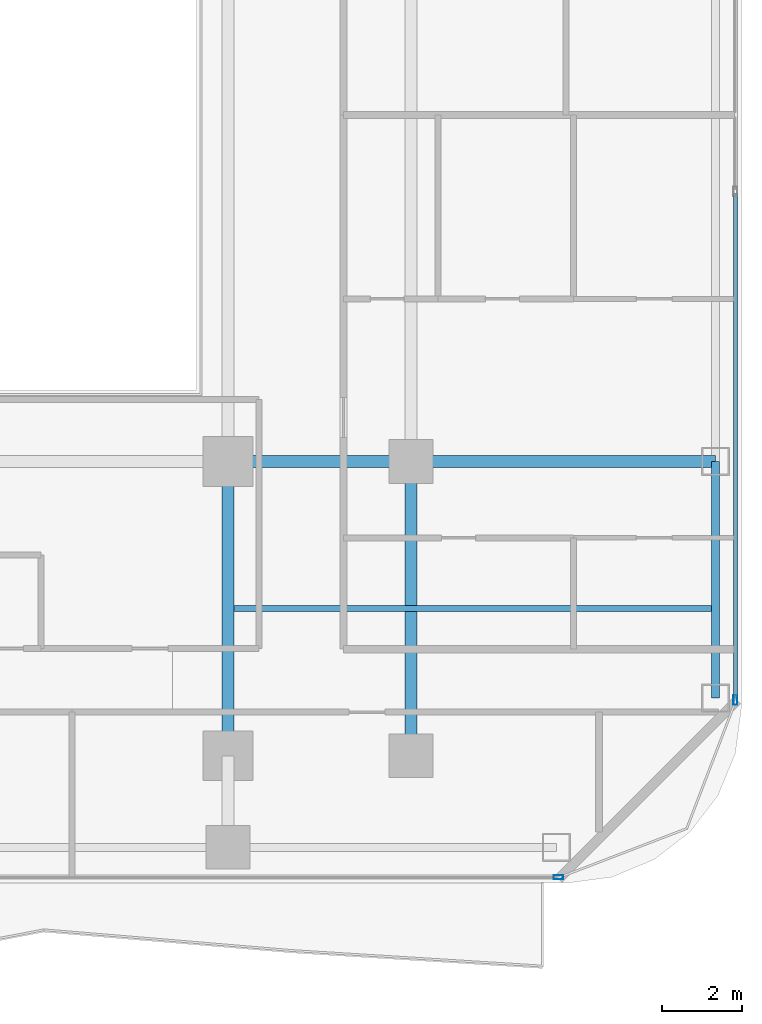
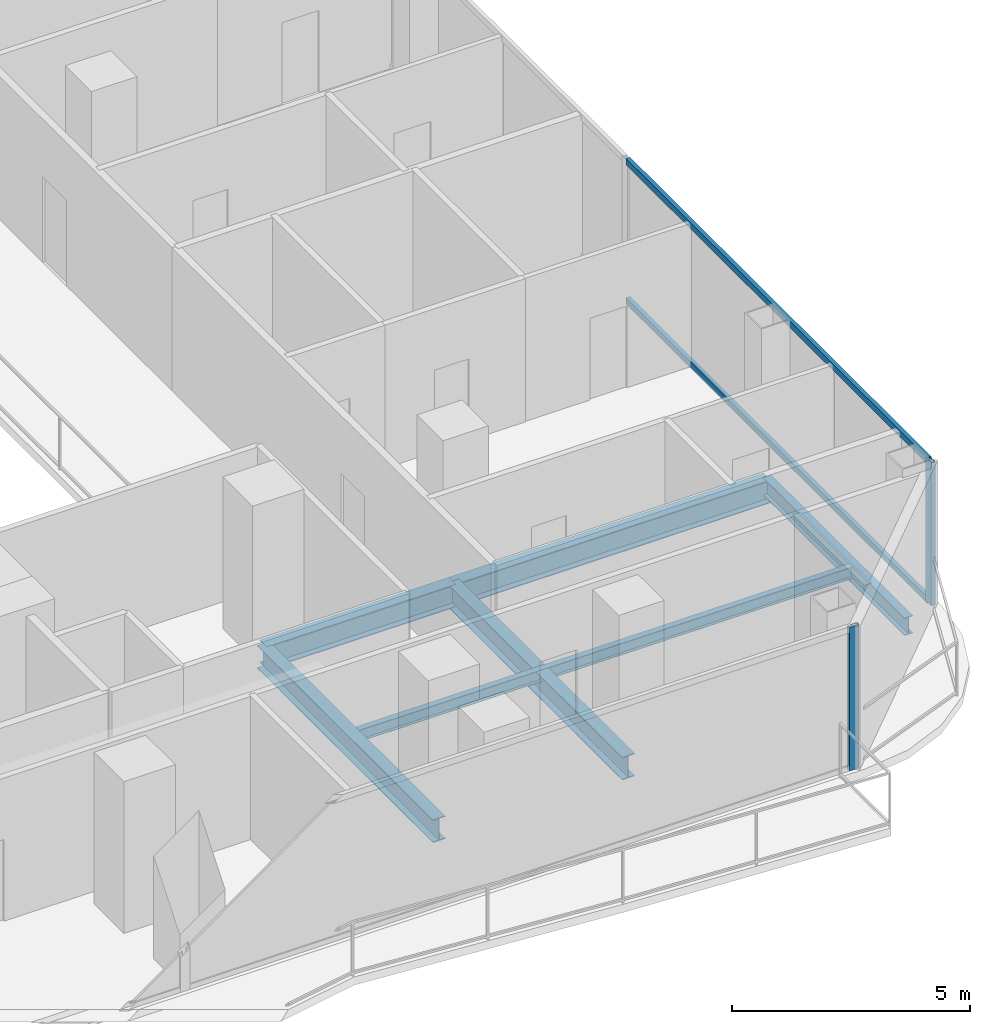
# One storey, part 9 of 27: 6 beams, 4 members, 2 elements without a shape of their own.
"""IFC4 building model written with IfcOpenShell, lengths in metres."""

from ifc_helpers import new_model, si_unit, direction, frame, origin, origin_2d, place, context, subcontext, project, spatial, hollow_rectangle, i_section, extrude, material, layer, layer_set, material_profile, profile_set, type_object, element, aggregate, save


model = new_model("IFC4")

# Units and contexts
model_context = context("Model", 3, precision=1e-05, world=origin(), true_north=direction((0.0, 1.0)))
body_context = subcontext(model_context, "Body", "Model", "MODEL_VIEW")
ifc_project = project(units=[si_unit("LENGTHUNIT", "METRE"), si_unit("AREAUNIT", "SQUARE_METRE"), si_unit("VOLUMEUNIT", "CUBIC_METRE"), si_unit("PLANEANGLEUNIT", "RADIAN"), si_unit("MASSUNIT", "GRAM", prefix="KILO")], contexts=[model_context])

# Site, building, storey
site_placement = place(None, origin())
site = spatial("IfcSite", under=ifc_project, at=site_placement, CompositionType="ELEMENT")
building_placement = place(site_placement, origin())
building = spatial("IfcBuilding", under=site, at=building_placement, Name="Khorvyn Point Tower", CompositionType="ELEMENT")
storey_placement = place(building_placement, frame((0.0, 0.0, 125.10009765625)))
storey = spatial("IfcBuildingStorey", under=building, at=storey_placement, Name="L31", CompositionType="ELEMENT", Elevation=125.10009765625)

# Curtain wall, member
ifc_material_1 = material(Name="Anodised aluminium 6063-T6 and laminated Low-E glass", Category="aluminium")
ifc_layer = layer(ifc_material_1, 0.18994140625)
ifc_layer_set = layer_set([ifc_layer], Name="Stick-Built Acoustic Curtain Wall CW-SYS-03")
curtain_wall_type = type_object("IfcCurtainWallType", Name="Stick-Built Acoustic Curtain Wall CW-SYS-03", PredefinedType="NOTDEFINED", material=ifc_layer_set)
curtain_wall_1_placement = place(storey_placement, origin())
curtain_wall_1 = element("IfcCurtainWall", 1, at=curtain_wall_1_placement, inside=storey, type_object=curtain_wall_type, Name="Curtain Wall", PredefinedType="NOTDEFINED")
ifc_material_2 = material(Name="Anodised aluminium 6063-T6", Category="aluminium")
ifc_material_profile_1 = material_profile(ifc_material_2, hollow_rectangle(XDim=0.10009765625, YDim=0.239990234375, WallThickness=0.0048828125, at=origin_2d()))
ifc_profile_set_1 = profile_set([ifc_material_profile_1], Name="Anodised aluminium 6063-T6 ALU-MUL-100x240")
member_type_1 = type_object("IfcMemberType", Name="Anodised Aluminium 6063-T6 Mullion ALU-MUL-100x240", PredefinedType="MULLION", material=ifc_profile_set_1)
member_1_placement = place(storey_placement, frame((23.10009765625, -17.85009765625, 0.0), z_axis=(0.0, 0.0, 1.0), x_axis=(0.0, -1.0, 0.0)))
member_1 = element("IfcMember", 2, at=member_1_placement, type_object=member_type_1, Name="Transom", PredefinedType="MULLION", context=body_context, shape_type="SweptSolid", body=[
    extrude(hollow_rectangle(XDim=0.10009765625, YDim=0.239990234375, WallThickness=0.0048828125, at=origin_2d()), origin(), (0.0, 0.0, 1.0), 3.679931640625),
])
aggregate(curtain_wall_1, [member_1])

# Curtain wall, members
curtain_wall_2_placement = place(storey_placement, origin())
curtain_wall_2 = element("IfcCurtainWall", 3, at=curtain_wall_2_placement, inside=storey, type_object=curtain_wall_type, Name="Curtain Wall", PredefinedType="NOTDEFINED")
member_2_placement = place(storey_placement, frame((27.550048828125, -13.39990234375, 0.0), z_axis=(0.0, 0.0, 1.0), x_axis=(1.0, 0.0, 0.0)))
member_2 = element("IfcMember", 4, at=member_2_placement, type_object=member_type_1, Name="Transom", PredefinedType="MULLION", context=body_context, shape_type="SweptSolid", body=[
    extrude(hollow_rectangle(XDim=0.10009765625, YDim=0.239990234375, WallThickness=0.0048828125, at=origin_2d()), origin(), (0.0, 0.0, 1.0), 3.679931640625),
])
ifc_material_profile_2 = material_profile(ifc_material_2, hollow_rectangle(XDim=0.10009765625, YDim=0.159912109375, WallThickness=0.00439453125, at=origin_2d()))
ifc_profile_set_2 = profile_set([ifc_material_profile_2], Name="Anodised aluminium 6063-T6 ALU-TRN-100x160")
member_type_2 = type_object("IfcMemberType", Name="Anodised Aluminium 6063-T6 Transom ALU-TRN-100x160", PredefinedType="USERDEFINED", material=ifc_profile_set_2)
member_3_placement = place(storey_placement, frame((27.550048828125, -0.666748046875, 0.0498046875), z_axis=(0.0, -1.0, 0.0), x_axis=(1.0, 0.0, 0.0)))
member_3 = element("IfcMember", 5, at=member_3_placement, type_object=member_type_2, Name="Transom", ObjectType="TRANSOM", PredefinedType="USERDEFINED", context=body_context, shape_type="SweptSolid", body=[
    extrude(hollow_rectangle(XDim=0.10009765625, YDim=0.159912109375, WallThickness=0.00439453125, at=origin_2d()), origin(), (0.0, 0.0, 1.0), 12.683349609375),
])
member_4_placement = place(storey_placement, frame((27.550048828125, -0.666748046875, 3.6298828125), z_axis=(0.0, -1.0, 0.0), x_axis=(1.0, 0.0, 0.0)))
member_4 = element("IfcMember", 6, at=member_4_placement, type_object=member_type_2, Name="Transom", ObjectType="TRANSOM", PredefinedType="USERDEFINED", context=body_context, shape_type="SweptSolid", body=[
    extrude(hollow_rectangle(XDim=0.10009765625, YDim=0.159912109375, WallThickness=0.00439453125, at=origin_2d()), origin(), (0.0, 0.0, 1.0), 12.683349609375),
])
aggregate(curtain_wall_2, [member_2, member_3, member_4])

# Beams
ifc_material_3 = material(Name="Steel S355", Category="steel")
ifc_material_profile_3 = material_profile(ifc_material_3, i_section(OverallWidth=0.300048828125, OverallDepth=0.587890625, WebThickness=0.011962890625, FlangeThickness=0.02001953125, at=origin_2d()))
ifc_profile_set_3 = profile_set([ifc_material_profile_3], Name="Steel S355 H588x300x12x20")
beam_type_1 = type_object("IfcBeamType", Name="Steel S355 Beam H588x300x12x20", PredefinedType="BEAM", material=ifc_profile_set_3)
beam_1_placement = place(storey_placement, frame((14.800048828125, -7.39990234375, -0.51416015625), z_axis=(1.0, 0.0, 0.0), x_axis=(0.0, 1.0, 0.0)))
element("IfcBeam", 7, at=beam_1_placement, inside=storey, type_object=beam_type_1, Name="Beam", PredefinedType="BEAM", context=body_context, shape_type="SweptSolid", body=[
    extrude(i_section(OverallWidth=0.300048828125, OverallDepth=0.587890625, WebThickness=0.011962890625, FlangeThickness=0.02001953125, at=origin_2d()), origin(), (0.0, 0.0, 1.0), 4.599853515625),
])
beam_2_placement = place(storey_placement, frame((19.39990234375, -7.39990234375, -0.51416015625), z_axis=(1.0, 0.0, 0.0), x_axis=(0.0, 1.0, 0.0)))
element("IfcBeam", 8, at=beam_2_placement, inside=storey, type_object=beam_type_1, Name="Beam", PredefinedType="BEAM", context=body_context, shape_type="SweptSolid", body=[
    extrude(i_section(OverallWidth=0.300048828125, OverallDepth=0.587890625, WebThickness=0.011962890625, FlangeThickness=0.02001953125, at=origin_2d()), origin(), (0.0, 0.0, 1.0), 7.650146484375),
])
for number, where, z_axis, x_axis, name in (
    (9, (14.800048828125, -14.800048828125, -0.51416015625), (0.0, 1.0, 0.0), (-1.0, 0.0, 0.0), "Beam"),
    (10, (19.39990234375, -14.800048828125, -0.51416015625), (0.0, 1.0, 0.0), (-1.0, 0.0, 0.0), "Beam"),
):
    element("IfcBeam", number, at=place(storey_placement, frame(where, z_axis=z_axis, x_axis=x_axis)), inside=storey, type_object=beam_type_1, Name=name, PredefinedType="BEAM", context=body_context, shape_type="SweptSolid", body=[
        extrude(i_section(OverallWidth=0.300048828125, OverallDepth=0.587890625, WebThickness=0.011962890625, FlangeThickness=0.02001953125, at=origin_2d()), origin(), (0.0, 0.0, 1.0), 7.400146484375),
    ])
ifc_material_profile_4 = material_profile(ifc_material_3, i_section(OverallWidth=0.14990234375, OverallDepth=0.300048828125, WebThickness=0.006591796875, FlangeThickness=0.009033203125, at=origin_2d()))
ifc_profile_set_4 = profile_set([ifc_material_profile_4], Name="Steel S355 H300x150x6.5x9")
beam_type_2 = type_object("IfcBeamType", Name="Steel S355 Joist H300x150x6.5x9", PredefinedType="JOIST", material=ifc_profile_set_4)
beam_3_placement = place(storey_placement, frame((14.949951171875, -11.10009765625, -0.3701171875), z_axis=(1.0, 0.0, 0.0), x_axis=(0.0, 1.0, 0.0)))
element("IfcBeam", 11, at=beam_3_placement, inside=storey, type_object=beam_type_2, Name="Beam", PredefinedType="JOIST", context=body_context, shape_type="SweptSolid", body=[
    extrude(i_section(OverallWidth=0.14990234375, OverallDepth=0.300048828125, WebThickness=0.006591796875, FlangeThickness=0.009033203125, at=origin_2d()), origin(), (0.0, 0.0, 1.0), 12.0),
])
ifc_material_profile_5 = material_profile(ifc_material_3, i_section(OverallWidth=0.199951171875, OverallDepth=0.449951171875, WebThickness=0.009033203125, FlangeThickness=0.013916015625, at=origin_2d()))
ifc_profile_set_5 = profile_set([ifc_material_profile_5], Name="Steel S355 H450x200x9x14")
beam_type_3 = type_object("IfcBeamType", Name="Steel S355 Spandrel H450x200x9x14", PredefinedType="SPANDREL", material=ifc_profile_set_5)
beam_4_placement = place(storey_placement, frame((27.050048828125, -13.35009765625, -0.445068359375), z_axis=(0.0, 1.0, 0.0), x_axis=(-1.0, 0.0, 0.0)))
element("IfcBeam", 12, at=beam_4_placement, inside=storey, type_object=beam_type_3, Name="Beam", PredefinedType="SPANDREL", context=body_context, shape_type="SweptSolid", body=[
    extrude(i_section(OverallWidth=0.199951171875, OverallDepth=0.449951171875, WebThickness=0.009033203125, FlangeThickness=0.013916015625, at=origin_2d()), origin(), (0.0, 0.0, 1.0), 5.9501953125),
])

save(model, "model.ifc")
